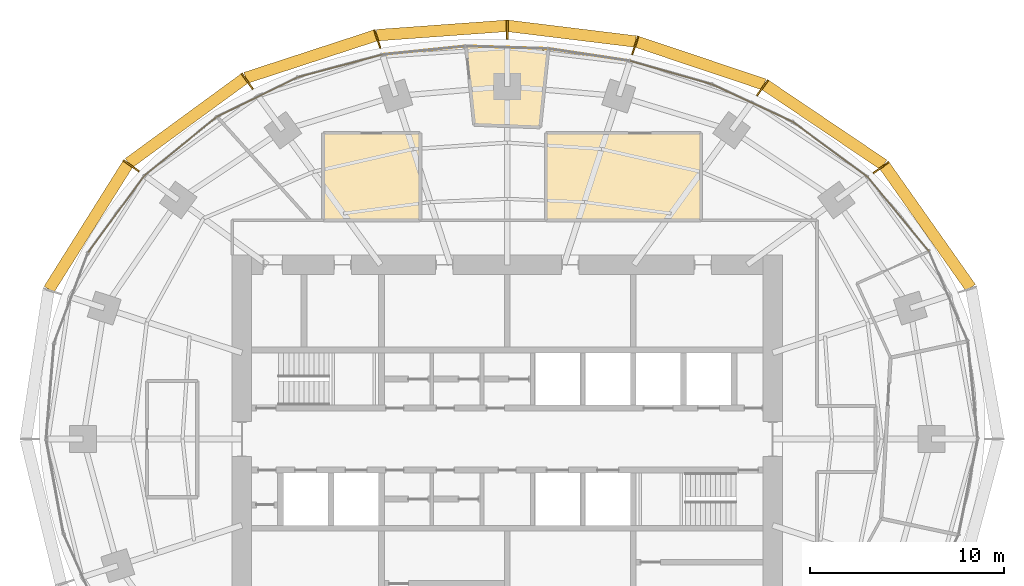
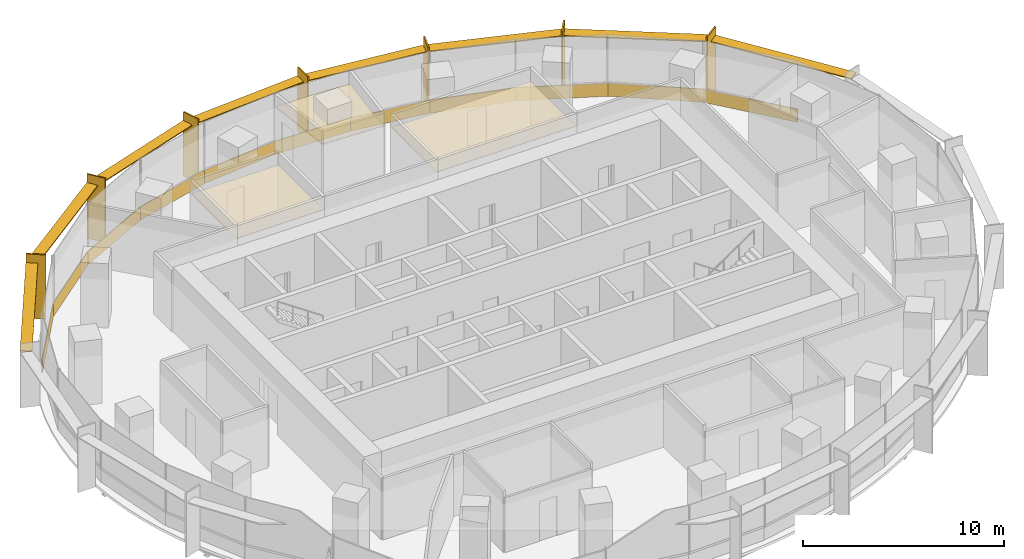
# One storey, part 15 of 15: 15 shading devices, 14 coverings.
"""IFC4 building model written with IfcOpenShell, lengths in metres."""

from ifc_helpers import new_model, si_unit, direction, frame, origin, origin_2d, place, context, subcontext, project, spatial, polyline, rectangle, outline, extrude, material, layer, layer_set, type_object, element, save


model = new_model("IFC4")

# Units and contexts
model_context = context("Model", 3, precision=1e-05, world=origin(), true_north=direction((0.0, 1.0)))
body_context = subcontext(model_context, "Body", "Model", "MODEL_VIEW")
ifc_project = project(units=[si_unit("LENGTHUNIT", "METRE"), si_unit("AREAUNIT", "SQUARE_METRE"), si_unit("VOLUMEUNIT", "CUBIC_METRE"), si_unit("PLANEANGLEUNIT", "RADIAN"), si_unit("MASSUNIT", "GRAM", prefix="KILO")], contexts=[model_context])

# Site, building, storey
site_placement = place(None, origin())
site = spatial("IfcSite", under=ifc_project, at=site_placement, CompositionType="ELEMENT")
building_placement = place(site_placement, origin())
building = spatial("IfcBuilding", under=site, at=building_placement, Name="Marramba Exchange Tower", CompositionType="ELEMENT")
storey_placement = place(building_placement, frame((0.0, 0.0, 207.199951171875)))
storey = spatial("IfcBuildingStorey", under=building, at=storey_placement, Name="L50", CompositionType="ELEMENT", Elevation=207.199951171875)

# Shading devices
ifc_material_1 = material(Name="Aluminium blade, timber-look bronze finish", Category="wood")
ifc_layer_1 = layer(ifc_material_1, 0.080078125)
ifc_layer_set_1 = layer_set([ifc_layer_1], Name="Floor-edge blade 1000x80")
shading_device_type_1 = type_object("IfcShadingDeviceType", Name="Floor-edge blade 1000x80", PredefinedType="USERDEFINED", material=ifc_layer_set_1)
for number, where, z_axis, x_axis, name in (
    (1, (19.298828125, 14.021484375, -0.159912109375), (0.0, 0.0, 1.0), (0.809016994375, 0.587785252292, 0.0), "Floor-edge blade FB1 L50 TC03"),
    (2, (13.176513671875, 18.135986328125, -0.159912109375), (0.0, 0.0, 1.0), (0.587785252292, 0.809016994375, 0.0), "Floor-edge blade FB1 L50 TC04"),
    (3, (6.605712890625, 20.330078125, -0.159912109375), (0.0, 0.0, 1.0), (0.309016994375, 0.951056516295, 0.0), "Floor-edge blade FB1 L50 TC05"),
    (4, (0.0, 21.13623046875, -0.159912109375), (0.0, 0.0, 1.0), (0.0, 1.0, 0.0), "Floor-edge blade FB1 L50 TC06"),
    (5, (-6.7119140625, 20.657470703125, -0.159912109375), (0.0, 0.0, 1.0), (-0.309016994375, 0.951056516295, 0.0), "Floor-edge blade FB1 L50 TC07"),
    (6, (-13.422607421875, 18.474609375, -0.159912109375), (0.0, 0.0, 1.0), (-0.587785252292, 0.809016994375, 0.0), "Floor-edge blade FB1 L50 TC08"),
    (7, (-19.4140625, 14.105224609375, -0.159912109375), (0.0, 0.0, 1.0), (-0.809016994375, 0.587785252292, 0.0), "Floor-edge blade FB1 L50 TC09"),
):
    element("IfcShadingDevice", number, at=place(storey_placement, frame(where, z_axis=z_axis, x_axis=x_axis)), inside=storey, type_object=shading_device_type_1, Name=name, ObjectType="FIN", PredefinedType="USERDEFINED", context=body_context, shape_type="SweptSolid", body=[
        extrude(rectangle(XDim=1.0, YDim=0.080078125, at=origin_2d()), origin(), (0.0, 0.0, 1.0), 3.89990234375),
    ])
ifc_material_2 = material(Name="Aluminium sunshade, bronze anodised", Category="aluminium")
ifc_layer_2 = layer(ifc_material_2, 0.06005859375)
ifc_layer_set_2 = layer_set([ifc_layer_2], Name="SUNSHADE blade 600x60")
shading_device_type_2 = type_object("IfcShadingDeviceType", Name="SUNSHADE blade 600x60", PredefinedType="USERDEFINED", material=ifc_layer_set_2)
shading_device_1_placement = place(storey_placement, frame((21.703857421875, 10.9599609375, 3.159912109375), z_axis=(0.0, 0.0, 1.0), x_axis=(-0.576555118613, 0.81705825692, 0.0)))
element("IfcShadingDevice", 8, at=shading_device_1_placement, inside=storey, type_object=shading_device_type_2, Name="Sunshade SS1 L50 bay 02", ObjectType="SUNSHADE", PredefinedType="USERDEFINED", context=body_context, shape_type="SweptSolid", body=[
    extrude(rectangle(XDim=7.70166015625, YDim=0.60009765625, at=origin_2d()), origin(), (0.0, 0.0, 1.0), 0.06005859375),
])
shading_device_2_placement = place(storey_placement, frame((16.37744140625, 16.218505859375, 3.159912109375), z_axis=(0.0, 0.0, 1.0), x_axis=(-0.829071447151, 0.559142679035, 0.0)))
element("IfcShadingDevice", 9, at=shading_device_2_placement, inside=storey, type_object=shading_device_type_2, Name="Sunshade SS1 L50 bay 03", ObjectType="SUNSHADE", PredefinedType="USERDEFINED", context=body_context, shape_type="SweptSolid", body=[
    extrude(rectangle(XDim=7.35791015625, YDim=0.60009765625, at=origin_2d()), origin(), (0.0, 0.0, 1.0), 0.06005859375),
])
shading_device_3_placement = place(storey_placement, frame((9.980712890625, 19.4091796875, 3.159912109375), z_axis=(0.0, 0.0, 1.0), x_axis=(-0.948096437223, 0.317982933073, 0.0)))
element("IfcShadingDevice", 10, at=shading_device_3_placement, inside=storey, type_object=shading_device_type_2, Name="Sunshade SS1 L50 bay 04", ObjectType="SUNSHADE", PredefinedType="USERDEFINED", context=body_context, shape_type="SweptSolid", body=[
    extrude(rectangle(XDim=6.909423828125, YDim=0.60009765625, at=origin_2d()), origin(), (0.0, 0.0, 1.0), 0.06005859375),
])
shading_device_4_placement = place(storey_placement, frame((3.333740234375, 20.92822265625, 3.159912109375), z_axis=(0.0, 0.0, 1.0), x_axis=(-0.992595256045, 0.121468751853, 0.0)))
element("IfcShadingDevice", 11, at=shading_device_4_placement, inside=storey, type_object=shading_device_type_2, Name="Sunshade SS1 L50 bay 05", ObjectType="SUNSHADE", PredefinedType="USERDEFINED", context=body_context, shape_type="SweptSolid", body=[
    extrude(rectangle(XDim=6.63720703125, YDim=0.60009765625, at=origin_2d()), origin(), (0.0, 0.0, 1.0), 0.06005859375),
])
shading_device_5_placement = place(storey_placement, frame((-3.386962890625, 21.092041015625, 3.159912109375), z_axis=(0.0, 0.0, 1.0), x_axis=(-0.997407641713, -0.071958295234, 0.0)))
element("IfcShadingDevice", 12, at=shading_device_5_placement, inside=storey, type_object=shading_device_type_2, Name="Sunshade SS1 L50 bay 06", ObjectType="SUNSHADE", PredefinedType="USERDEFINED", context=body_context, shape_type="SweptSolid", body=[
    extrude(rectangle(XDim=6.71142578125, YDim=0.60009765625, at=origin_2d()), origin(), (0.0, 0.0, 1.0), 0.06005859375),
])
shading_device_6_placement = place(storey_placement, frame((-10.156982421875, 19.741943359375, 3.159912109375), z_axis=(0.0, 0.0, 1.0), x_axis=(-0.950537602937, -0.310609506297, 0.0)))
element("IfcShadingDevice", 13, at=shading_device_6_placement, inside=storey, type_object=shading_device_type_2, Name="Sunshade SS1 L50 bay 07", ObjectType="SUNSHADE", PredefinedType="USERDEFINED", context=body_context, shape_type="SweptSolid", body=[
    extrude(rectangle(XDim=7.03857421875, YDim=0.60009765625, at=origin_2d()), origin(), (0.0, 0.0, 1.0), 0.06005859375),
])
shading_device_7_placement = place(storey_placement, frame((-16.55810546875, 16.4296875, 3.159912109375), z_axis=(0.0, 0.0, 1.0), x_axis=(-0.80719390073, -0.59028637679, 0.0)))
element("IfcShadingDevice", 14, at=shading_device_7_placement, inside=storey, type_object=shading_device_type_2, Name="Sunshade SS1 L50 bay 08", ObjectType="SUNSHADE", PredefinedType="USERDEFINED", context=body_context, shape_type="SweptSolid", body=[
    extrude(rectangle(XDim=7.3974609375, YDim=0.60009765625, at=origin_2d()), origin(), (0.0, 0.0, 1.0), 0.06005859375),
])
shading_device_8_placement = place(storey_placement, frame((-21.62744140625, 10.958251953125, 3.159912109375), z_axis=(0.0, 0.0, 1.0), x_axis=(-0.532082259983, -0.846692664792, 0.0)))
element("IfcShadingDevice", 15, at=shading_device_8_placement, inside=storey, type_object=shading_device_type_2, Name="Sunshade SS1 L50 bay 09", ObjectType="SUNSHADE", PredefinedType="USERDEFINED", context=body_context, shape_type="SweptSolid", body=[
    extrude(rectangle(XDim=7.631103515625, YDim=0.60009765625, at=origin_2d()), origin(), (0.0, 0.0, 1.0), 0.06005859375),
])

# Coverings
ifc_material_3 = material(Name="Aluminium spandrel panel, bronze anodised, insulated", Category="aluminium")
ifc_layer_3 = layer(ifc_material_3, 0.050048828125)
ifc_layer_set_3 = layer_set([ifc_layer_3], Name="Spandrel panel 800")
covering_type_1 = type_object("IfcCoveringType", Name="Spandrel panel 800", PredefinedType="CLADDING", material=ifc_layer_set_3)
covering_1_placement = place(storey_placement, frame((20.193603515625, 11.608642578125, 0.0), z_axis=(0.0, 0.0, 1.0), x_axis=(-0.637350224586, 0.770574260678, 0.0)))
element("IfcCovering", 16, at=covering_1_placement, inside=storey, type_object=covering_type_1, Name="Spandrel panel SP1 L50 F03", PredefinedType="CLADDING", context=body_context, shape_type="SweptSolid", body=[
    extrude(rectangle(XDim=4.9658203125, YDim=0.050048828125, at=origin_2d()), origin(), (0.0, 0.0, 1.0), 0.800048828125),
])
covering_2_placement = place(storey_placement, frame((16.677001953125, 14.94775390625, 0.0), z_axis=(0.0, 0.0, 1.0), x_axis=(-0.804877256733, 0.593441321104, 0.0)))
element("IfcCovering", 17, at=covering_2_placement, inside=storey, type_object=covering_type_1, Name="Spandrel panel SP1 L50 F04", PredefinedType="CLADDING", context=body_context, shape_type="SweptSolid", body=[
    extrude(rectangle(XDim=4.805908203125, YDim=0.050048828125, at=origin_2d()), origin(), (0.0, 0.0, 1.0), 0.800048828125),
])
covering_3_placement = place(storey_placement, frame((12.65869140625, 17.344482421875, 0.0), z_axis=(0.0, 0.0, 1.0), x_axis=(-0.906533903661, 0.422133014005, 0.0)))
element("IfcCovering", 18, at=covering_3_placement, inside=storey, type_object=covering_type_1, Name="Spandrel panel SP1 L50 F05", PredefinedType="CLADDING", context=body_context, shape_type="SweptSolid", body=[
    extrude(rectangle(XDim=4.5986328125, YDim=0.050048828125, at=origin_2d()), origin(), (0.0, 0.0, 1.0), 0.800048828125),
])
covering_4_placement = place(storey_placement, frame((8.45849609375, 18.91845703125, 0.0), z_axis=(0.0, 0.0, 1.0), x_axis=(-0.961658952783, 0.274248169607, 0.0)))
element("IfcCovering", 19, at=covering_4_placement, inside=storey, type_object=covering_type_1, Name="Spandrel panel SP1 L50 F06", PredefinedType="CLADDING", context=body_context, shape_type="SweptSolid", body=[
    extrude(rectangle(XDim=4.39990234375, YDim=0.050048828125, at=origin_2d()), origin(), (0.0, 0.0, 1.0), 0.800048828125),
])
covering_5_placement = place(storey_placement, frame((4.230712890625, 19.839599609375, 0.0), z_axis=(0.0, 0.0, 1.0), x_axis=(-0.988868065308, 0.148794991224, 0.0)))
element("IfcCovering", 20, at=covering_5_placement, inside=storey, type_object=covering_type_1, Name="Spandrel panel SP1 L50 F07", PredefinedType="CLADDING", context=body_context, shape_type="SweptSolid", body=[
    extrude(rectangle(XDim=4.27197265625, YDim=0.050048828125, at=origin_2d()), origin(), (0.0, 0.0, 1.0), 0.800048828125),
])
covering_6_placement = place(storey_placement, frame((-0.0068359375, 20.221923828125, 0.0), z_axis=(0.0, 0.0, 1.0), x_axis=(-0.999537999985, 0.030393857689, 0.0)))
element("IfcCovering", 21, at=covering_6_placement, inside=storey, type_object=covering_type_1, Name="Spandrel panel SP1 L50 F08", PredefinedType="CLADDING", context=body_context, shape_type="SweptSolid", body=[
    extrude(rectangle(XDim=4.252685546875, YDim=0.050048828125, at=origin_2d()), origin(), (0.0, 0.0, 1.0), 0.800048828125),
])
covering_7_placement = place(storey_placement, frame((-4.290771484375, 20.06787109375, 0.0), z_axis=(0.0, 0.0, 1.0), x_axis=(-0.994900357732, -0.10086266993, 0.0)))
element("IfcCovering", 22, at=covering_7_placement, inside=storey, type_object=covering_type_1, Name="Spandrel panel SP1 L50 F09", PredefinedType="CLADDING", context=body_context, shape_type="SweptSolid", body=[
    extrude(rectangle(XDim=4.33935546875, YDim=0.050048828125, at=origin_2d()), origin(), (0.0, 0.0, 1.0), 0.800048828125),
])
covering_8_placement = place(storey_placement, frame((-8.620361328125, 19.27001953125, 0.0), z_axis=(0.0, 0.0, 1.0), x_axis=(-0.966240651433, -0.257641230237, 0.0)))
element("IfcCovering", 23, at=covering_8_placement, inside=storey, type_object=covering_type_1, Name="Spandrel panel SP1 L50 F10", PredefinedType="CLADDING", context=body_context, shape_type="SweptSolid", body=[
    extrude(rectangle(XDim=4.49365234375, YDim=0.050048828125, at=origin_2d()), origin(), (0.0, 0.0, 1.0), 0.800048828125),
])
covering_9_placement = place(storey_placement, frame((-12.88818359375, 17.666748046875, 0.0), z_axis=(0.0, 0.0, 1.0), x_axis=(-0.898500520314, -0.438972453572, 0.0)))
element("IfcCovering", 24, at=covering_9_placement, inside=storey, type_object=covering_type_1, Name="Spandrel panel SP1 L50 F11", PredefinedType="CLADDING", context=body_context, shape_type="SweptSolid", body=[
    extrude(rectangle(XDim=4.667236328125, YDim=0.050048828125, at=origin_2d()), origin(), (0.0, 0.0, 1.0), 0.800048828125),
])
covering_10_placement = place(storey_placement, frame((-16.855712890625, 15.1240234375, 0.0), z_axis=(0.0, 0.0, 1.0), x_axis=(-0.776432169123, -0.630200830491, 0.0)))
element("IfcCovering", 25, at=covering_10_placement, inside=storey, type_object=covering_type_1, Name="Spandrel panel SP1 L50 F12", PredefinedType="CLADDING", context=body_context, shape_type="SweptSolid", body=[
    extrude(rectangle(XDim=4.81884765625, YDim=0.050048828125, at=origin_2d()), origin(), (0.0, 0.0, 1.0), 0.800048828125),
])
covering_11_placement = place(storey_placement, frame((-20.184326171875, 11.62060546875, 0.0), z_axis=(0.0, 0.0, 1.0), x_axis=(-0.591962919465, -0.805965198987, 0.0)))
element("IfcCovering", 26, at=covering_11_placement, inside=storey, type_object=covering_type_1, Name="Spandrel panel SP1 L50 F13", PredefinedType="CLADDING", context=body_context, shape_type="SweptSolid", body=[
    extrude(rectangle(XDim=4.925537109375, YDim=0.050048828125, at=origin_2d()), origin(), (0.0, 0.0, 1.0), 0.800048828125),
])
ifc_material_4 = material(Name="Mineral fibre ceiling tiles", Category="gypsum")
ifc_layer_4 = layer(ifc_material_4, 0.02001953125)
ifc_layer_set_4 = layer_set([ifc_layer_4], Name="Suspended ceiling 20")
covering_type_2 = type_object("IfcCoveringType", Name="Suspended ceiling 20", PredefinedType="CEILING", material=ifc_layer_set_4)
covering_12_placement = place(storey_placement, frame((0.0, 0.0, 2.900146484375)))
element("IfcCovering", 27, at=covering_12_placement, inside=storey, type_object=covering_type_2, Name="Ceiling CL1 L50 Quiet Room 1", PredefinedType="CEILING", context=body_context, shape_type="SweptSolid", body=[
    extrude(outline(polyline([(-1.059814453125, 20.22314453125), (0.0, 20.206298828125), (1.056396484375, 20.15771484375), (1.982666015625, 20.08740234375), (2.1103515625, 20.077880859375), (1.692138671875, 16.099609375), (-1.705810546875, 16.22900390625), (-2.123779296875, 20.20703125), (-1.059814453125, 20.22314453125)])), origin(), (0.0, 0.0, 1.0), 0.02001953125),
])
covering_13_placement = place(storey_placement, frame((0.0, 0.0, 2.900146484375)))
element("IfcCovering", 28, at=covering_13_placement, inside=storey, type_object=covering_type_2, Name="Ceiling CL1 L50 Meeting Room 2", PredefinedType="CEILING", context=body_context, shape_type="SweptSolid", body=[
    extrude(outline(polyline([(10.0, 11.300048828125), (2.0, 11.300048828125), (2.0, 15.800048828125), (10.0, 15.800048828125), (10.0, 11.300048828125)])), origin(), (0.0, 0.0, 1.0), 0.02001953125),
])
covering_14_placement = place(storey_placement, frame((0.0, 0.0, 2.900146484375)))
element("IfcCovering", 29, at=covering_14_placement, inside=storey, type_object=covering_type_2, Name="Ceiling CL1 L50 Interview Room", PredefinedType="CEILING", context=body_context, shape_type="SweptSolid", body=[
    extrude(outline(polyline([(-4.5, 11.300048828125), (-9.5, 11.300048828125), (-9.5, 15.800048828125), (-4.5, 15.800048828125), (-4.5, 11.300048828125)])), origin(), (0.0, 0.0, 1.0), 0.02001953125),
])

save(model, "model.ifc")
